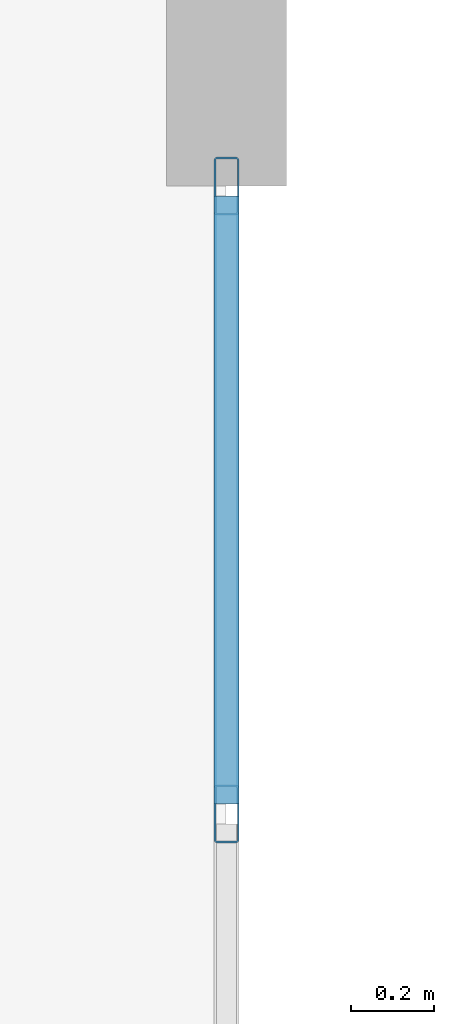
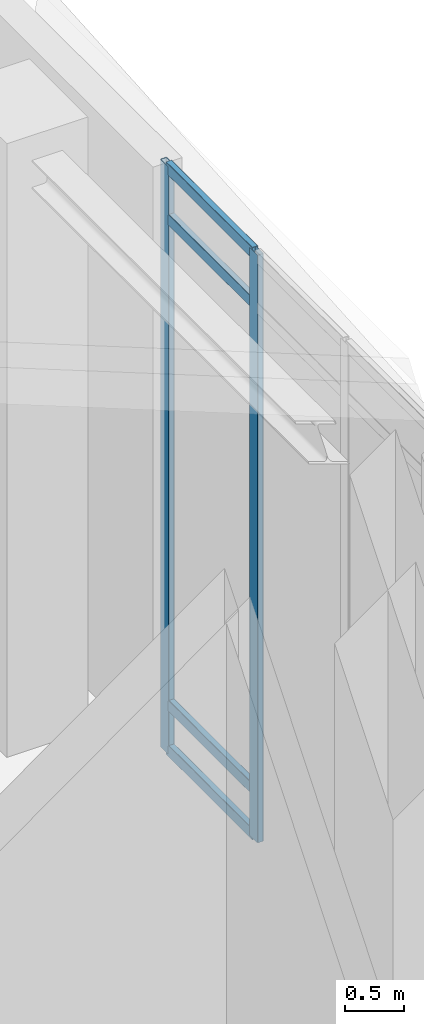
# One storey, part 6 of 9: 6 members, 1 element without a shape of its own.
"""IFC4 building model written with IfcOpenShell, lengths in metres."""

from ifc_helpers import new_model, si_unit, direction, frame, origin, origin_2d, place, context, subcontext, project, spatial, hollow_rectangle, extrude, material, layer, layer_set, material_profile, profile_set, type_object, element, aggregate, save


model = new_model("IFC4")

# Units and contexts
model_context = context("Model", 3, precision=1e-05, world=origin(), true_north=direction((0.0, 1.0)))
body_context = subcontext(model_context, "Body", "Model", "MODEL_VIEW")
ifc_project = project(units=[si_unit("LENGTHUNIT", "METRE"), si_unit("AREAUNIT", "SQUARE_METRE"), si_unit("VOLUMEUNIT", "CUBIC_METRE"), si_unit("PLANEANGLEUNIT", "RADIAN"), si_unit("MASSUNIT", "GRAM", prefix="KILO")], contexts=[model_context])

# Site, building, storey
site_placement = place(None, origin())
site = spatial("IfcSite", under=ifc_project, at=site_placement, CompositionType="ELEMENT")
building_placement = place(site_placement, origin())
building = spatial("IfcBuilding", under=site, at=building_placement, Name="Ndelora Gate Hotel", CompositionType="ELEMENT")
storey_placement = place(building_placement, frame((0.0, 0.0, 311.60009765625)))
storey = spatial("IfcBuildingStorey", under=building, at=storey_placement, Name="RF2", CompositionType="ELEMENT", Elevation=311.60009765625)

# Curtain wall, members
ifc_material_1 = material(Name="Bronze Anodised Unitised Aluminium and Low-E Glass", Category="aluminium")
ifc_layer = layer(ifc_material_1, 0.199951171875)
ifc_layer_set = layer_set([ifc_layer], Name="Bronze Anodised Unitised Aluminium and Low-E Glass")
curtain_wall_type = type_object("IfcCurtainWallType", Name="CW-SYS-8", PredefinedType="NOTDEFINED", material=ifc_layer_set)
curtain_wall_placement = place(storey_placement, origin())
curtain_wall = element("IfcCurtainWall", 1, at=curtain_wall_placement, inside=storey, type_object=curtain_wall_type, Name="RF2 Split-Crown West Cleft Lantern Curtain Wall CW8-2", PredefinedType="NOTDEFINED")
ifc_material_2 = material(Name="Bronze Anodised Aluminium 6063-T6", Category="aluminium")
ifc_material_profile_1 = material_profile(ifc_material_2, hollow_rectangle(XDim=0.06005859375, YDim=0.139892578125, WallThickness=0.00390625, InnerFilletRadius=0.00390625, OuterFilletRadius=0.008056640625, at=origin_2d()), Name="ALU 140x60x4")
ifc_profile_set_1 = profile_set([ifc_material_profile_1], Name="Bronze Anodised Aluminium 6063-T6")
member_type_1 = type_object("IfcMemberType", Name="MB-CW-MUL140", PredefinedType="MULLION", material=ifc_profile_set_1)
member_1_placement = place(storey_placement, frame((8.85009765625, 4.0, -0.004150390625), z_axis=(0.0, 0.0, 1.0), x_axis=(-1.0, 0.0, 0.0)))
member_1 = element("IfcMember", 2, at=member_1_placement, type_object=member_type_1, Name="CW8 mullion 3", PredefinedType="MULLION", context=body_context, shape_type="SweptSolid", body=[
    extrude(hollow_rectangle(XDim=0.06005859375, YDim=0.139892578125, WallThickness=0.00390625, InnerFilletRadius=0.00390625, OuterFilletRadius=0.008056640625, at=origin_2d()), origin(), (0.0, 0.0, 1.0), 6.128173828125),
])
member_2_placement = place(storey_placement, frame((8.85009765625, 5.52001953125, -0.004150390625), z_axis=(0.0, 0.0, 1.0), x_axis=(-1.0, 0.0, 0.0)))
member_2 = element("IfcMember", 3, at=member_2_placement, type_object=member_type_1, Name="CW8 mullion 4", PredefinedType="MULLION", context=body_context, shape_type="SweptSolid", body=[
    extrude(hollow_rectangle(XDim=0.06005859375, YDim=0.139892578125, WallThickness=0.00390625, InnerFilletRadius=0.00390625, OuterFilletRadius=0.008056640625, at=origin_2d()), origin(), (0.0, 0.0, 1.0), 6.128173828125),
])
ifc_material_profile_2 = material_profile(ifc_material_2, hollow_rectangle(XDim=0.06005859375, YDim=0.1201171875, WallThickness=0.00390625, InnerFilletRadius=0.00390625, OuterFilletRadius=0.008056640625, at=origin_2d()), Name="ALU 120x60x4")
ifc_profile_set_2 = profile_set([ifc_material_profile_2], Name="Bronze Anodised Aluminium 6063-T6")
member_type_2 = type_object("IfcMemberType", Name="MB-CW-TRN120", PredefinedType="USERDEFINED", material=ifc_profile_set_2)
member_3_placement = place(storey_placement, frame((8.85009765625, 4.02392578125, 0.02978515625), z_axis=(0.0, 1.0, 0.0), x_axis=(-1.0, 0.0, 0.0)))
member_3 = element("IfcMember", 4, at=member_3_placement, type_object=member_type_2, Name="CW8 transom 3.1", ObjectType="TRANSOM", PredefinedType="USERDEFINED", context=body_context, shape_type="SweptSolid", body=[
    extrude(hollow_rectangle(XDim=0.06005859375, YDim=0.1201171875, WallThickness=0.00390625, InnerFilletRadius=0.00390625, OuterFilletRadius=0.008056640625, at=origin_2d()), origin(), (0.0, 0.0, 1.0), 1.47216796875),
])
member_4_placement = place(storey_placement, frame((8.85009765625, 4.02392578125, 0.5), z_axis=(0.0, 1.0, 0.0), x_axis=(-1.0, 0.0, 0.0)))
member_4 = element("IfcMember", 5, at=member_4_placement, type_object=member_type_2, Name="CW8 transom 3.2", ObjectType="TRANSOM", PredefinedType="USERDEFINED", context=body_context, shape_type="SweptSolid", body=[
    extrude(hollow_rectangle(XDim=0.06005859375, YDim=0.1201171875, WallThickness=0.00390625, InnerFilletRadius=0.00390625, OuterFilletRadius=0.008056640625, at=origin_2d()), origin(), (0.0, 0.0, 1.0), 1.47216796875),
])
member_5_placement = place(storey_placement, frame((8.85009765625, 4.02392578125, 5.56982421875), z_axis=(0.0, 1.0, 0.0), x_axis=(-1.0, 0.0, 0.0)))
member_5 = element("IfcMember", 6, at=member_5_placement, type_object=member_type_2, Name="CW8 transom 3.3", ObjectType="TRANSOM", PredefinedType="USERDEFINED", context=body_context, shape_type="SweptSolid", body=[
    extrude(hollow_rectangle(XDim=0.06005859375, YDim=0.1201171875, WallThickness=0.00390625, InnerFilletRadius=0.00390625, OuterFilletRadius=0.008056640625, at=origin_2d()), origin(), (0.0, 0.0, 1.0), 1.47216796875),
])
member_6_placement = place(storey_placement, frame((8.85009765625, 4.02392578125, 6.08984375), z_axis=(0.0, 1.0, 0.0), x_axis=(-1.0, 0.0, 0.0)))
member_6 = element("IfcMember", 7, at=member_6_placement, type_object=member_type_2, Name="CW8 transom 3.4", ObjectType="TRANSOM", PredefinedType="USERDEFINED", context=body_context, shape_type="SweptSolid", body=[
    extrude(hollow_rectangle(XDim=0.06005859375, YDim=0.1201171875, WallThickness=0.00390625, InnerFilletRadius=0.00390625, OuterFilletRadius=0.008056640625, at=origin_2d()), origin(), (0.0, 0.0, 1.0), 1.47216796875),
])
aggregate(curtain_wall, [member_1, member_2, member_3, member_4, member_5, member_6])

save(model, "model.ifc")
